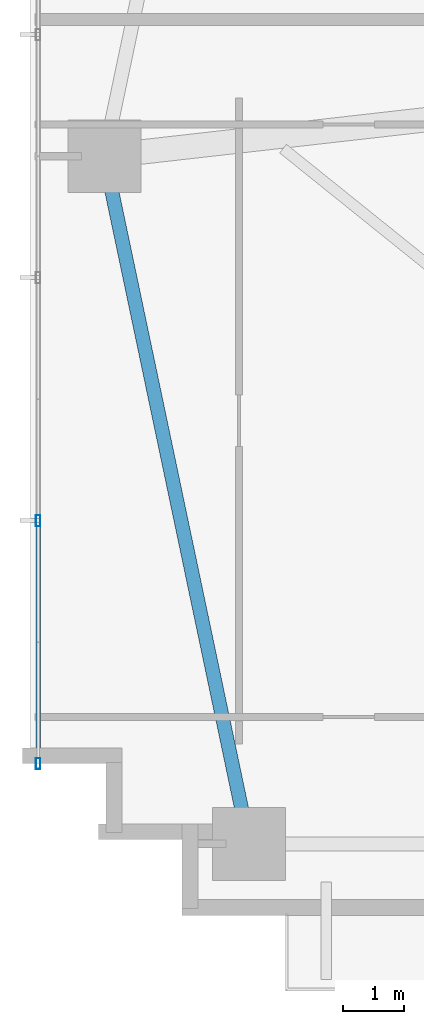
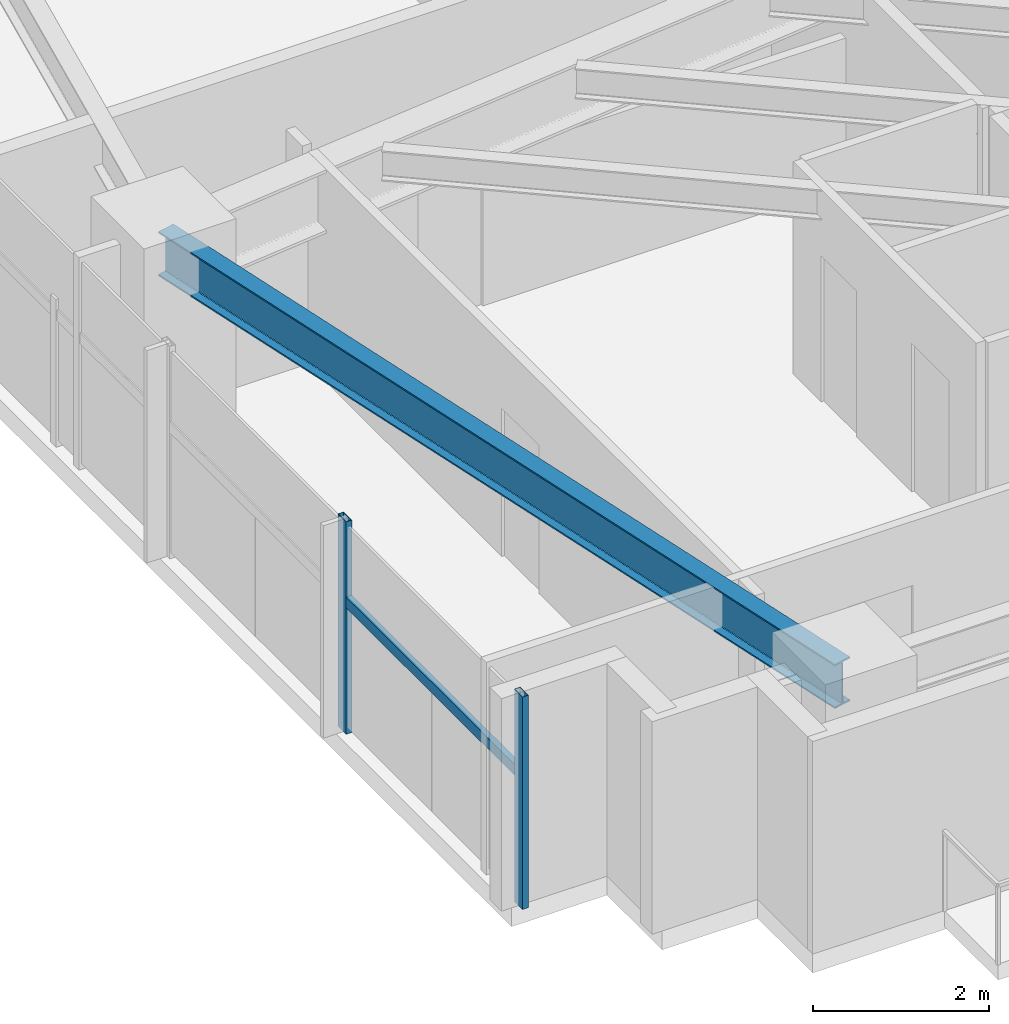
# One storey, part 2 of 25: 3 members, 1 beam, 1 element without a shape of its own.
"""IFC4 building model written with IfcOpenShell, lengths in metres."""

from ifc_helpers import new_model, si_unit, direction, frame, origin, origin_2d, place, context, subcontext, project, spatial, hollow_rectangle, i_section, extrude, source, transform, mapped, material, material_profile, profile_set, type_object, type_shapes, element, aggregate, save


model = new_model("IFC4")

# Units and contexts
model_context = context("Model", 3, precision=1e-05, world=origin(), true_north=direction((0.0, 1.0)))
body_context = subcontext(model_context, "Body", "Model", "MODEL_VIEW")
ifc_project = project(units=[si_unit("LENGTHUNIT", "METRE"), si_unit("AREAUNIT", "SQUARE_METRE"), si_unit("VOLUMEUNIT", "CUBIC_METRE"), si_unit("PLANEANGLEUNIT", "RADIAN"), si_unit("MASSUNIT", "GRAM", prefix="KILO")], contexts=[model_context])

# Site, building, storey
site_placement = place(None, origin())
site = spatial("IfcSite", under=ifc_project, at=site_placement, CompositionType="ELEMENT")
building_placement = place(site_placement, origin())
building = spatial("IfcBuilding", under=site, at=building_placement, Name="Astriad Promenade Condominiums", CompositionType="ELEMENT")
storey_placement = place(building_placement, frame((0.0, 0.0, 35.800048828125)))
storey = spatial("IfcBuildingStorey", under=building, at=storey_placement, Name="L09", CompositionType="ELEMENT", Elevation=35.800048828125)

# Beam
ifc_material_1 = material(Name="Steel ASTM A992 Grade 50", Category="steel")
ifc_material_profile_1 = material_profile(ifc_material_1, i_section(OverallWidth=0.22900390625, OverallDepth=0.612060546875, WebThickness=0.011962890625, FlangeThickness=0.01953125, FilletRadius=0.017822265625, at=origin_2d()), Name="W24X84")
ifc_profile_set_1 = profile_set([ifc_material_profile_1], Name="Steel ASTM A992 Grade 50")
beam_type = type_object("IfcBeamType", Name="STEEL SPANDREL BEAM W24X84", PredefinedType="SPANDREL", material=ifc_profile_set_1)
shared_shape_1 = source(origin(), body_context, "Body", "SweptSolid", [
    extrude(i_section(OverallWidth=0.22900390625, OverallDepth=0.612060546875, WebThickness=0.011962890625, FlangeThickness=0.01953125, FilletRadius=0.017822265625, at=origin_2d()), origin(), (0.0, 0.0, 1.0), 11.487548828125),
])
type_shapes(beam_type, [shared_shape_1])
beam_placement = place(storey_placement, frame((7.0283203125, 15.160888671875, 2.634033203125), z_axis=(0.205748055501, -0.978604995725, 0.0), x_axis=(0.978604995725, 0.205748055501, 0.0)))
element("IfcBeam", 1, at=beam_placement, inside=storey, type_object=beam_type, Name="Perimeter Spandrel Beam SP-W1-L09", PredefinedType="SPANDREL", context=body_context, shape_type="MappedRepresentation", body=[
    mapped(shared_shape_1, transform((0.0, 0.0, 0.0), scale=1.0)),
])

# Curtain wall, members
ifc_material_2 = material(Name="Anodised aluminium Black Dark Glass Unitised", Category="aluminium")
curtain_wall_type = type_object("IfcCurtainWallType", Name="CW-B1-DARK", PredefinedType="USERDEFINED", material=ifc_material_2)
curtain_wall_placement = place(storey_placement, origin())
curtain_wall = element("IfcCurtainWall", 2, at=curtain_wall_placement, inside=storey, type_object=curtain_wall_type, Name="CW-L09-W", ObjectType="UNITISED_CURTAIN_WALL", PredefinedType="USERDEFINED")
ifc_material_3 = material(Name="Anodised aluminium 6063-T6 Black", Category="aluminium")
ifc_material_profile_2 = material_profile(ifc_material_3, hollow_rectangle(XDim=0.074951171875, YDim=0.18505859375, WallThickness=0.00439453125, at=origin_2d()), Name="ALU-MUL-75X185")
ifc_profile_set_2 = profile_set([ifc_material_profile_2], Name="Anodised aluminium 6063-T6 Black")
member_type_1 = type_object("IfcMemberType", Name="MUL-ALU-MUL-75X185", PredefinedType="MULLION", material=ifc_profile_set_2)
shared_shape_2 = source(origin(), body_context, "Body", "SweptSolid", [
    extrude(hollow_rectangle(XDim=0.074951171875, YDim=0.18505859375, WallThickness=0.00439453125, at=origin_2d()), origin(), (0.0, 0.0, 1.0), 2.93994140625),
])
type_shapes(member_type_1, [shared_shape_2])
member_1_placement = place(storey_placement, frame((5.929931640625, 5.199951171875, 0.0), z_axis=(0.0, 0.0, 1.0), x_axis=(1.0, 0.0, 0.0)))
member_1 = element("IfcMember", 3, at=member_1_placement, type_object=member_type_1, Name="CW-L09-W-MUL-00", PredefinedType="MULLION", context=body_context, shape_type="MappedRepresentation", body=[
    mapped(shared_shape_2, transform((0.0, 0.0, 0.0), scale=1.0)),
])
member_2_placement = place(storey_placement, frame((5.929931640625, 9.199951171875, 0.0), z_axis=(0.0, 0.0, 1.0), x_axis=(1.0, 0.0, 0.0)))
member_2 = element("IfcMember", 4, at=member_2_placement, type_object=member_type_1, Name="CW-L09-W-MUL-01", PredefinedType="MULLION", context=body_context, shape_type="MappedRepresentation", body=[
    mapped(shared_shape_2, transform((0.0, 0.0, 0.0), scale=1.0)),
])
ifc_material_profile_3 = material_profile(ifc_material_3, hollow_rectangle(XDim=0.074951171875, YDim=0.14990234375, WallThickness=0.004150390625, at=origin_2d()), Name="ALU-TRN-75X150")
ifc_profile_set_3 = profile_set([ifc_material_profile_3], Name="Anodised aluminium 6063-T6 Black")
member_type_2 = type_object("IfcMemberType", Name="TRN-ALU-TRN-75X150", PredefinedType="USERDEFINED", material=ifc_profile_set_3)
shared_shape_3 = source(origin(), body_context, "Body", "SweptSolid", [
    extrude(hollow_rectangle(XDim=0.074951171875, YDim=0.14990234375, WallThickness=0.004150390625, at=origin_2d()), origin(), (0.0, 0.0, 1.0), 4.0),
])
type_shapes(member_type_2, [shared_shape_3])
member_3_placement = place(storey_placement, frame((5.929931640625, 5.199951171875, 1.82275390625), z_axis=(0.0, 1.0, 0.0), x_axis=(-1.0, 0.0, 0.0)))
member_3 = element("IfcMember", 5, at=member_3_placement, type_object=member_type_2, Name="CW-L09-W-TRN-00-0", ObjectType="TRANSOM", PredefinedType="USERDEFINED", context=body_context, shape_type="MappedRepresentation", body=[
    mapped(shared_shape_3, transform((0.0, 0.0, 0.0), scale=1.0)),
])
aggregate(curtain_wall, [member_1, member_2, member_3])

save(model, "model.ifc")
